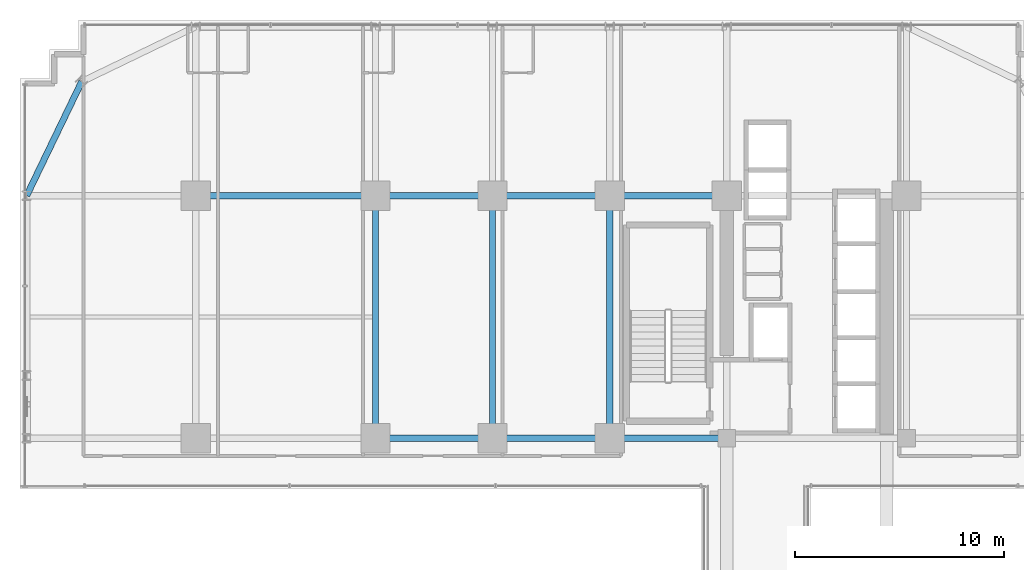
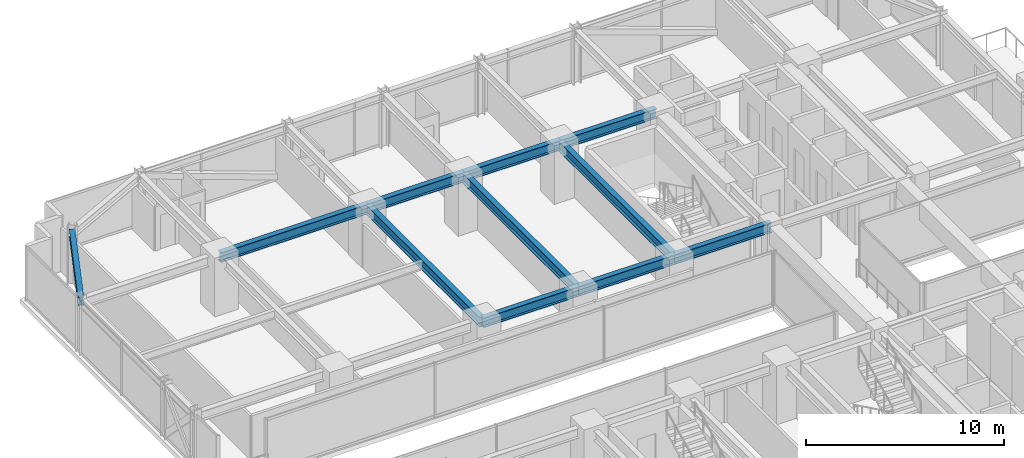
# One storey, part 20 of 35: 11 beams.
"""IFC4 building model written with IfcOpenShell, lengths in metres."""

from ifc_helpers import new_model, si_unit, direction, frame, origin, origin_2d, place, context, subcontext, project, spatial, i_section, extrude, source, transform, mapped, material, material_profile, profile_set, type_object, element, save


model = new_model("IFC4")

# Units and contexts
model_context = context("Model", 3, precision=1e-05, world=origin(), true_north=direction((0.0, 1.0)))
body_context = subcontext(model_context, "Body", "Model", "MODEL_VIEW")
ifc_project = project(units=[si_unit("LENGTHUNIT", "METRE"), si_unit("AREAUNIT", "SQUARE_METRE"), si_unit("VOLUMEUNIT", "CUBIC_METRE"), si_unit("PLANEANGLEUNIT", "RADIAN"), si_unit("MASSUNIT", "GRAM", prefix="KILO")], contexts=[model_context])

# Site, building, storey
site_placement = place(None, origin())
site = spatial("IfcSite", under=ifc_project, at=site_placement, CompositionType="ELEMENT")
building_placement = place(site_placement, origin())
building = spatial("IfcBuilding", under=site, at=building_placement, Name="Nahalor Promenade Grand Hotel", CompositionType="ELEMENT")
storey_placement = place(building_placement, frame((0.0, 0.0, 43.35009765625)))
storey = spatial("IfcBuildingStorey", under=building, at=storey_placement, Name="L09", CompositionType="ELEMENT", Elevation=43.35009765625)

# Beams
ifc_material = material(Name="Steel S355JR", Category="steel")
ifc_material_profile_1 = material_profile(ifc_material, i_section(OverallWidth=0.3, OverallDepth=0.6, WebThickness=0.0155, FlangeThickness=0.03, at=origin_2d()), Name="HEB 600")
ifc_profile_set_1 = profile_set([ifc_material_profile_1], Name="Steel S355JR")
beam_type_1 = type_object("IfcBeamType", Name="Beam-Girder-HEB600", PredefinedType="BEAM", material=ifc_profile_set_1)
shared_shape_1 = source(origin(), body_context, "Body", "SweptSolid", [
    extrude(i_section(OverallWidth=0.3, OverallDepth=0.6, WebThickness=0.0155, FlangeThickness=0.03, at=origin_2d()), origin(), (0.0, 0.0, 1.0), 8.60009765625),
])
beam_1_placement = place(storey_placement, frame((-17.0, 17.0, 3.06982421875), z_axis=(1.0, 0.0, 0.0), x_axis=(0.0, 1.0, 0.0)))
element("IfcBeam", 1, at=beam_1_placement, inside=storey, type_object=beam_type_1, Name="BM-L09-GX-3-1", PredefinedType="BEAM", context=body_context, shape_type="MappedRepresentation", body=[
    mapped(shared_shape_1, transform((0.0, 0.0, 0.0), scale=1.0)),
])
shared_shape_2 = source(origin(), body_context, "Body", "SweptSolid", [
    extrude(i_section(OverallWidth=0.3, OverallDepth=0.6, WebThickness=0.0155, FlangeThickness=0.03, at=origin_2d()), origin(), (0.0, 0.0, 1.0), 5.599853515625),
])
for number, where, z_axis, x_axis, name in (
    (2, (-8.39990234375, 5.39990234375, 3.06982421875), (1.0, 0.0, 0.0), (0.0, 1.0, 0.0), "BM-L09-GX-2-2"),
    (3, (2.800048828125, 5.39990234375, 3.06982421875), (1.0, 0.0, 0.0), (0.0, 1.0, 0.0), "BM-L09-GX-2-4"),
    (4, (-8.39990234375, 17.0, 3.06982421875), (1.0, 0.0, 0.0), (0.0, 1.0, 0.0), "BM-L09-GX-3-2"),
    (5, (2.800048828125, 17.0, 3.06982421875), (1.0, 0.0, 0.0), (0.0, 1.0, 0.0), "BM-L09-GX-3-4"),
):
    element("IfcBeam", number, at=place(storey_placement, frame(where, z_axis=z_axis, x_axis=x_axis)), inside=storey, type_object=beam_type_1, Name=name, PredefinedType="BEAM", context=body_context, shape_type="MappedRepresentation", body=[
        mapped(shared_shape_2, transform((0.0, 0.0, 0.0), scale=1.0)),
    ])
shared_shape_3 = source(origin(), body_context, "Body", "SweptSolid", [
    extrude(i_section(OverallWidth=0.3, OverallDepth=0.6, WebThickness=0.0155, FlangeThickness=0.03, at=origin_2d()), origin(), (0.0, 0.0, 1.0), 5.60009765625),
])
for number, where, z_axis, x_axis, name in (
    (6, (-2.800048828125, 5.39990234375, 3.06982421875), (1.0, 0.0, 0.0), (0.0, 1.0, 0.0), "BM-L09-GX-2-3"),
    (7, (-2.800048828125, 17.0, 3.06982421875), (1.0, 0.0, 0.0), (0.0, 1.0, 0.0), "BM-L09-GX-3-3"),
):
    element("IfcBeam", number, at=place(storey_placement, frame(where, z_axis=z_axis, x_axis=x_axis)), inside=storey, type_object=beam_type_1, Name=name, PredefinedType="BEAM", context=body_context, shape_type="MappedRepresentation", body=[
        mapped(shared_shape_3, transform((0.0, 0.0, 0.0), scale=1.0)),
    ])
shared_shape_4 = source(origin(), body_context, "Body", "SweptSolid", [
    extrude(i_section(OverallWidth=0.3, OverallDepth=0.6, WebThickness=0.0155, FlangeThickness=0.03, at=origin_2d()), origin(), (0.0, 0.0, 1.0), 11.60009765625),
])
for number, where, z_axis, x_axis, name in (
    (8, (-8.39990234375, 5.39990234375, 3.06982421875), (0.0, 1.0, 0.0), (-1.0, 0.0, 0.0), "BM-L09-GY-1-3"),
    (9, (-2.800048828125, 5.39990234375, 3.06982421875), (0.0, 1.0, 0.0), (-1.0, 0.0, 0.0), "BM-L09-GY-2-3"),
    (10, (2.800048828125, 5.39990234375, 3.06982421875), (0.0, 1.0, 0.0), (-1.0, 0.0, 0.0), "BM-L09-GY-3-3"),
):
    element("IfcBeam", number, at=place(storey_placement, frame(where, z_axis=z_axis, x_axis=x_axis)), inside=storey, type_object=beam_type_1, Name=name, PredefinedType="BEAM", context=body_context, shape_type="MappedRepresentation", body=[
        mapped(shared_shape_4, transform((0.0, 0.0, 0.0), scale=1.0)),
    ])
ifc_material_profile_2 = material_profile(ifc_material, i_section(OverallWidth=0.3, OverallDepth=0.5, WebThickness=0.0145, FlangeThickness=0.028, at=origin_2d()), Name="HEB 500")
ifc_profile_set_2 = profile_set([ifc_material_profile_2], Name="Steel S355JR")
beam_type_2 = type_object("IfcBeamType", Name="Beam-Spandrel-HEB500", PredefinedType="SPANDREL", material=ifc_profile_set_2)
shared_shape_5 = source(origin(), body_context, "Body", "SweptSolid", [
    extrude(i_section(OverallWidth=0.3, OverallDepth=0.5, WebThickness=0.0145, FlangeThickness=0.028, at=origin_2d()), origin(), (0.0, 0.0, 1.0), 6.051513671875),
])
beam_2_placement = place(storey_placement, frame((-22.449951171875, 22.449951171875, 3.119873046875), z_axis=(-0.434630596492, -0.900608818852, 0.0), x_axis=(0.900608818852, -0.434630596492, 0.0)))
element("IfcBeam", 11, at=beam_2_placement, inside=storey, type_object=beam_type_2, Name="BM-L09-SPC-NW-2", PredefinedType="SPANDREL", context=body_context, shape_type="MappedRepresentation", body=[
    mapped(shared_shape_5, transform((0.0, 0.0, 0.0), scale=1.0)),
])

save(model, "model.ifc")
